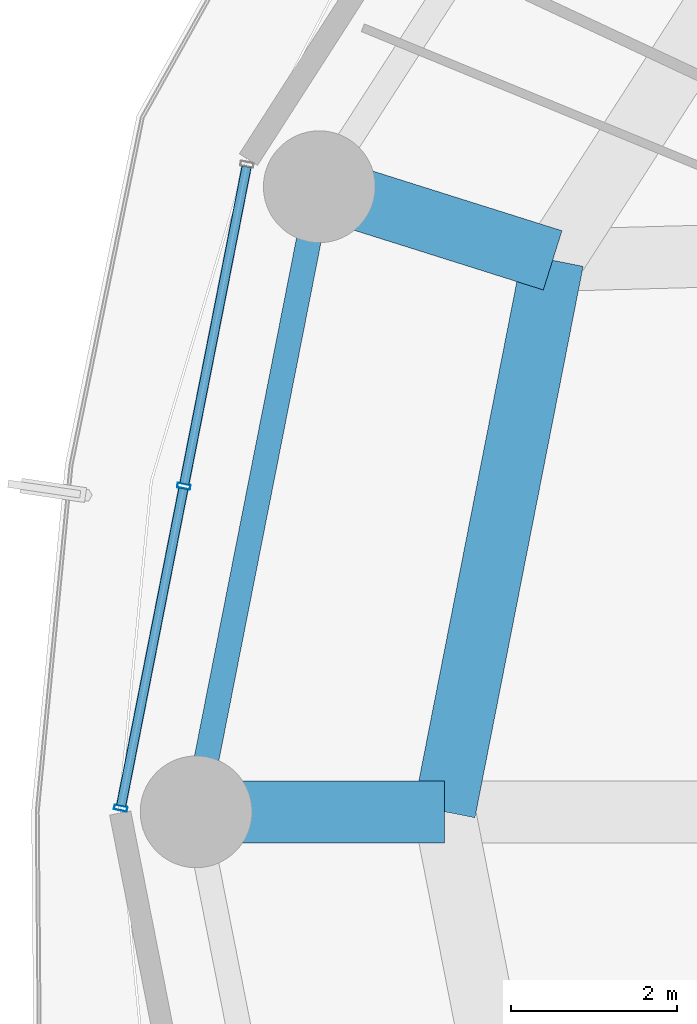
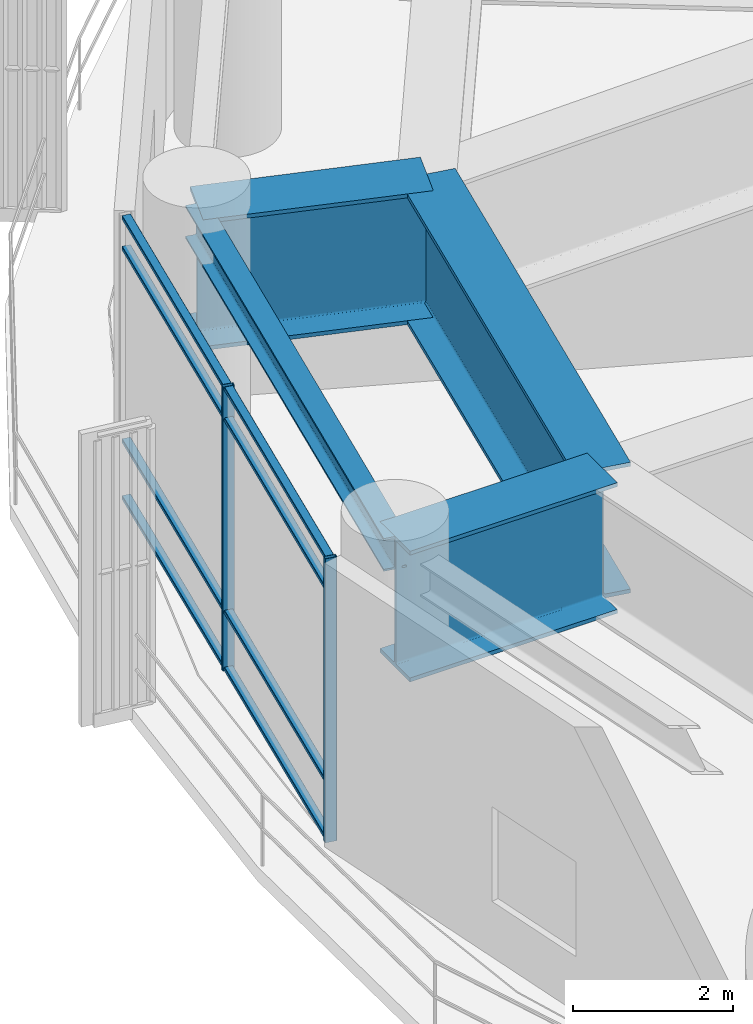
# One storey, part 8 of 34: 10 members, 4 beams, 1 element without a shape of its own.
"""IFC4 building model written with IfcOpenShell, lengths in metres."""

from ifc_helpers import new_model, si_unit, direction, frame, origin, origin_2d, place, context, subcontext, project, spatial, hollow_rectangle, i_section, extrude, material, layer, layer_set, material_profile, profile_set, type_object, element, aggregate, save


model = new_model("IFC4")

# Units and contexts
model_context = context("Model", 3, precision=1e-05, world=origin(), true_north=direction((0.0, 1.0)))
body_context = subcontext(model_context, "Body", "Model", "MODEL_VIEW")
ifc_project = project(units=[si_unit("LENGTHUNIT", "METRE"), si_unit("AREAUNIT", "SQUARE_METRE"), si_unit("VOLUMEUNIT", "CUBIC_METRE"), si_unit("PLANEANGLEUNIT", "RADIAN"), si_unit("MASSUNIT", "GRAM", prefix="KILO")], contexts=[model_context])

# Site, building, storey
site_placement = place(None, origin())
site = spatial("IfcSite", under=ifc_project, at=site_placement, CompositionType="ELEMENT")
building_placement = place(site_placement, origin())
building = spatial("IfcBuilding", under=site, at=building_placement, Name="Kelanora Arch Commons", CompositionType="ELEMENT")
storey_placement = place(building_placement, frame((0.0, 0.0, 125.10009765625)))
storey = spatial("IfcBuildingStorey", under=building, at=storey_placement, Name="L32", CompositionType="ELEMENT", Elevation=125.10009765625)

# Beams
ifc_material_1 = material(Name="Steel S355", Category="steel")
ifc_material_profile_1 = material_profile(ifc_material_1, i_section(OverallWidth=0.300048828125, OverallDepth=0.5, WebThickness=0.014404296875, FlangeThickness=0.028076171875, FilletRadius=0.027099609375, at=origin_2d()), Name="HEB500")
ifc_profile_set_1 = profile_set([ifc_material_profile_1], Name="Steel S355")
beam_type_1 = type_object("IfcBeamType", Name="BM-SPN-Z2", PredefinedType="SPANDREL", material=ifc_profile_set_1)
beam_1_placement = place(storey_placement, frame((50.808349609375, 65.5517578125, 4.10986328125), z_axis=(-0.19335825777, -0.981128220037, 0.0), x_axis=(0.981128220037, -0.19335825777, 0.0)))
element("IfcBeam", 1, at=beam_1_placement, inside=storey, type_object=beam_type_1, Name="Perimeter Spandrel Beam BS-16 L32", PredefinedType="SPANDREL", context=body_context, shape_type="SweptSolid", body=[
    extrude(i_section(OverallWidth=0.300048828125, OverallDepth=0.5, WebThickness=0.014404296875, FlangeThickness=0.028076171875, FilletRadius=0.027099609375, at=origin_2d()), origin(), (0.0, 0.0, 1.0), 7.697021484375),
])
ifc_material_profile_2 = material_profile(ifc_material_1, i_section(OverallWidth=0.75, OverallDepth=2.0, WebThickness=0.034912109375, FlangeThickness=0.06005859375, FilletRadius=0.028076171875, at=origin_2d()), Name="PG2000x750")
ifc_profile_set_2 = profile_set([ifc_material_profile_2], Name="Steel S355")
beam_type_2 = type_object("IfcBeamType", Name="BM-XFER-SET", PredefinedType="USERDEFINED", material=ifc_profile_set_2)
beam_2_placement = place(storey_placement, frame((53.62744140625, 64.66259765625, 3.35986328125), z_axis=(-0.953687459381, 0.300799318184, 0.0), x_axis=(-0.300799318184, -0.953687459381, 0.0)))
element("IfcBeam", 2, at=beam_2_placement, inside=storey, type_object=beam_type_2, Name="Radial Floor Girder BR-16 L32", ObjectType="TRANSFER_GIRDER", PredefinedType="USERDEFINED", context=body_context, shape_type="SweptSolid", body=[
    extrude(i_section(OverallWidth=0.75, OverallDepth=2.0, WebThickness=0.034912109375, FlangeThickness=0.06005859375, FilletRadius=0.028076171875, at=origin_2d()), origin(), (0.0, 0.0, 1.0), 2.9560546875),
])
beam_3_placement = place(storey_placement, frame((52.320068359375, 58.0, 3.35986328125), z_axis=(-1.0, 0.0, 0.0), x_axis=(0.0, -1.0, 0.0)))
element("IfcBeam", 3, at=beam_3_placement, inside=storey, type_object=beam_type_2, Name="Radial Floor Girder BR-18 L32", ObjectType="TRANSFER_GIRDER", PredefinedType="USERDEFINED", context=body_context, shape_type="SweptSolid", body=[
    extrude(i_section(OverallWidth=0.75, OverallDepth=2.0, WebThickness=0.034912109375, FlangeThickness=0.06005859375, FilletRadius=0.028076171875, at=origin_2d()), origin(), (0.0, 0.0, 1.0), 3.0),
])
beam_4_placement = place(storey_placement, frame((53.62744140625, 64.66259765625, 3.35986328125), z_axis=(-0.192553643556, -0.981286448675, 0.0), x_axis=(0.981286448675, -0.192553643556, 0.0)))
element("IfcBeam", 4, at=beam_4_placement, inside=storey, type_object=beam_type_2, Name="Setback Inner Transfer Ring BSI-16 L32", ObjectType="TRANSFER_GIRDER", PredefinedType="USERDEFINED", context=body_context, shape_type="SweptSolid", body=[
    extrude(i_section(OverallWidth=0.75, OverallDepth=2.0, WebThickness=0.034912109375, FlangeThickness=0.06005859375, FilletRadius=0.028076171875, at=origin_2d()), origin(), (0.0, 0.0, 1.0), 6.78955078125),
])

# Curtain wall, members
ifc_material_2 = material(Name="Terracotta ceramic-fritted low-E glass and aluminium", Category="masonry")
ifc_layer = layer(ifc_material_2, 0.159912109375)
ifc_layer_set = layer_set([ifc_layer], Name="Terracotta ceramic-fritted low-E glass and aluminium")
curtain_wall_type = type_object("IfcCurtainWallType", Name="CW-SYS-01", PredefinedType="NOTDEFINED", material=ifc_layer_set)
curtain_wall_placement = place(storey_placement, origin())
curtain_wall = element("IfcCurtainWall", 5, at=curtain_wall_placement, inside=storey, type_object=curtain_wall_type, Name="Unitised Curtain Wall L32-B08", PredefinedType="NOTDEFINED")
ifc_material_3 = material(Name="Powder-coated aluminium terracotta", Category="masonry")
ifc_material_profile_3 = material_profile(ifc_material_3, hollow_rectangle(XDim=0.159912109375, YDim=0.06005859375, WallThickness=0.0048828125, InnerFilletRadius=0.0048828125, OuterFilletRadius=0.010009765625, at=origin_2d()), Name="CWM160x60")
ifc_profile_set_3 = profile_set([ifc_material_profile_3], Name="Powder-coated aluminium terracotta")
member_type_1 = type_object("IfcMemberType", Name="CWM-STD", PredefinedType="MULLION", material=ifc_profile_set_3)
member_1_placement = place(storey_placement, frame((49.171875, 61.933349609375, 0.0), z_axis=(0.0, 0.0, 1.0), x_axis=(0.981280311646, -0.192584916272, 0.0)))
member_1 = element("IfcMember", 6, at=member_1_placement, type_object=member_type_1, Name="CW-01 mullion 2", PredefinedType="MULLION", context=body_context, shape_type="SweptSolid", body=[
    extrude(hollow_rectangle(XDim=0.159912109375, YDim=0.06005859375, WallThickness=0.0048828125, InnerFilletRadius=0.0048828125, OuterFilletRadius=0.010009765625, at=origin_2d()), origin(), (0.0, 0.0, 1.0), 4.344970703125),
])
member_2_placement = place(storey_placement, frame((48.40869140625, 58.044189453125, 0.0), z_axis=(0.0, 0.0, 1.0), x_axis=(0.981280311646, -0.192584916272, 0.0)))
member_2 = element("IfcMember", 7, at=member_2_placement, type_object=member_type_1, Name="CW-01 mullion 3", PredefinedType="MULLION", context=body_context, shape_type="SweptSolid", body=[
    extrude(hollow_rectangle(XDim=0.159912109375, YDim=0.06005859375, WallThickness=0.0048828125, InnerFilletRadius=0.0048828125, OuterFilletRadius=0.010009765625, at=origin_2d()), origin(), (0.0, 0.0, 1.0), 4.344970703125),
])
ifc_material_profile_4 = material_profile(ifc_material_3, hollow_rectangle(XDim=0.1201171875, YDim=0.06005859375, WallThickness=0.0048828125, InnerFilletRadius=0.0048828125, OuterFilletRadius=0.010009765625, at=origin_2d()), Name="CWT120x60")
ifc_profile_set_4 = profile_set([ifc_material_profile_4], Name="Powder-coated aluminium terracotta")
member_type_2 = type_object("IfcMemberType", Name="CWT-STD", PredefinedType="USERDEFINED", material=ifc_profile_set_4)
member_3_placement = place(storey_placement, frame((49.929443359375, 65.79296875, 0.02978515625), z_axis=(-0.192578614785, -0.981281548348, 0.0), x_axis=(0.981281548348, -0.192578614785, 0.0)))
member_3 = element("IfcMember", 8, at=member_3_placement, type_object=member_type_2, Name="CW-01 transom 1.1", ObjectType="TRANSOM", PredefinedType="USERDEFINED", context=body_context, shape_type="SweptSolid", body=[
    extrude(hollow_rectangle(XDim=0.1201171875, YDim=0.06005859375, WallThickness=0.0048828125, InnerFilletRadius=0.0048828125, OuterFilletRadius=0.010009765625, at=origin_2d()), origin(), (0.0, 0.0, 1.0), 3.9033203125),
])
member_4_placement = place(storey_placement, frame((49.929443359375, 65.79296875, 0.89990234375), z_axis=(-0.192578614785, -0.981281548348, 0.0), x_axis=(0.981281548348, -0.192578614785, 0.0)))
member_4 = element("IfcMember", 9, at=member_4_placement, type_object=member_type_2, Name="CW-01 transom 1.2", ObjectType="TRANSOM", PredefinedType="USERDEFINED", context=body_context, shape_type="SweptSolid", body=[
    extrude(hollow_rectangle(XDim=0.1201171875, YDim=0.06005859375, WallThickness=0.0048828125, InnerFilletRadius=0.0048828125, OuterFilletRadius=0.010009765625, at=origin_2d()), origin(), (0.0, 0.0, 1.0), 3.9033203125),
])
member_5_placement = place(storey_placement, frame((49.929443359375, 65.79296875, 3.844970703125), z_axis=(-0.192578614785, -0.981281548348, 0.0), x_axis=(0.981281548348, -0.192578614785, 0.0)))
member_5 = element("IfcMember", 10, at=member_5_placement, type_object=member_type_2, Name="CW-01 transom 1.3", ObjectType="TRANSOM", PredefinedType="USERDEFINED", context=body_context, shape_type="SweptSolid", body=[
    extrude(hollow_rectangle(XDim=0.1201171875, YDim=0.06005859375, WallThickness=0.0048828125, InnerFilletRadius=0.0048828125, OuterFilletRadius=0.010009765625, at=origin_2d()), origin(), (0.0, 0.0, 1.0), 3.9033203125),
])
member_6_placement = place(storey_placement, frame((49.929443359375, 65.79296875, 4.31494140625), z_axis=(-0.192578614785, -0.981281548348, 0.0), x_axis=(0.981281548348, -0.192578614785, 0.0)))
member_6 = element("IfcMember", 11, at=member_6_placement, type_object=member_type_2, Name="CW-01 transom 1.4", ObjectType="TRANSOM", PredefinedType="USERDEFINED", context=body_context, shape_type="SweptSolid", body=[
    extrude(hollow_rectangle(XDim=0.1201171875, YDim=0.06005859375, WallThickness=0.0048828125, InnerFilletRadius=0.0048828125, OuterFilletRadius=0.010009765625, at=origin_2d()), origin(), (0.0, 0.0, 1.0), 3.9033203125),
])
member_7_placement = place(storey_placement, frame((49.166259765625, 61.90380859375, 0.02978515625), z_axis=(-0.192578614785, -0.981281548348, 0.0), x_axis=(0.981281548348, -0.192578614785, 0.0)))
member_7 = element("IfcMember", 12, at=member_7_placement, type_object=member_type_2, Name="CW-01 transom 2.1", ObjectType="TRANSOM", PredefinedType="USERDEFINED", context=body_context, shape_type="SweptSolid", body=[
    extrude(hollow_rectangle(XDim=0.1201171875, YDim=0.06005859375, WallThickness=0.0048828125, InnerFilletRadius=0.0048828125, OuterFilletRadius=0.010009765625, at=origin_2d()), origin(), (0.0, 0.0, 1.0), 3.9033203125),
])
member_8_placement = place(storey_placement, frame((49.166259765625, 61.90380859375, 0.89990234375), z_axis=(-0.192578614785, -0.981281548348, 0.0), x_axis=(0.981281548348, -0.192578614785, 0.0)))
member_8 = element("IfcMember", 13, at=member_8_placement, type_object=member_type_2, Name="CW-01 transom 2.2", ObjectType="TRANSOM", PredefinedType="USERDEFINED", context=body_context, shape_type="SweptSolid", body=[
    extrude(hollow_rectangle(XDim=0.1201171875, YDim=0.06005859375, WallThickness=0.0048828125, InnerFilletRadius=0.0048828125, OuterFilletRadius=0.010009765625, at=origin_2d()), origin(), (0.0, 0.0, 1.0), 3.9033203125),
])
member_9_placement = place(storey_placement, frame((49.166259765625, 61.90380859375, 3.844970703125), z_axis=(-0.192578614785, -0.981281548348, 0.0), x_axis=(0.981281548348, -0.192578614785, 0.0)))
member_9 = element("IfcMember", 14, at=member_9_placement, type_object=member_type_2, Name="CW-01 transom 2.3", ObjectType="TRANSOM", PredefinedType="USERDEFINED", context=body_context, shape_type="SweptSolid", body=[
    extrude(hollow_rectangle(XDim=0.1201171875, YDim=0.06005859375, WallThickness=0.0048828125, InnerFilletRadius=0.0048828125, OuterFilletRadius=0.010009765625, at=origin_2d()), origin(), (0.0, 0.0, 1.0), 3.9033203125),
])
member_10_placement = place(storey_placement, frame((49.166259765625, 61.90380859375, 4.31494140625), z_axis=(-0.192578614785, -0.981281548348, 0.0), x_axis=(0.981281548348, -0.192578614785, 0.0)))
member_10 = element("IfcMember", 15, at=member_10_placement, type_object=member_type_2, Name="CW-01 transom 2.4", ObjectType="TRANSOM", PredefinedType="USERDEFINED", context=body_context, shape_type="SweptSolid", body=[
    extrude(hollow_rectangle(XDim=0.1201171875, YDim=0.06005859375, WallThickness=0.0048828125, InnerFilletRadius=0.0048828125, OuterFilletRadius=0.010009765625, at=origin_2d()), origin(), (0.0, 0.0, 1.0), 3.9033203125),
])
aggregate(curtain_wall, [member_1, member_2, member_3, member_4, member_5, member_6, member_7, member_8, member_9, member_10])

save(model, "model.ifc")
